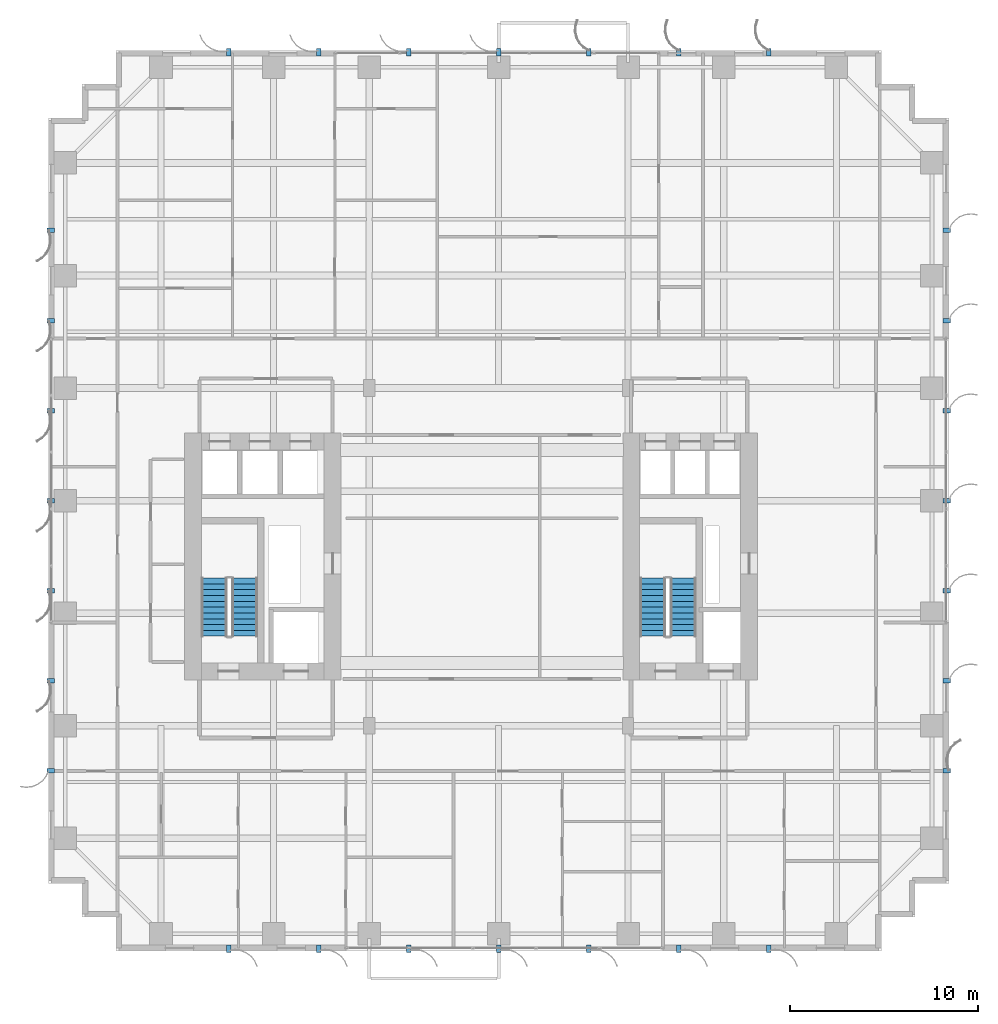
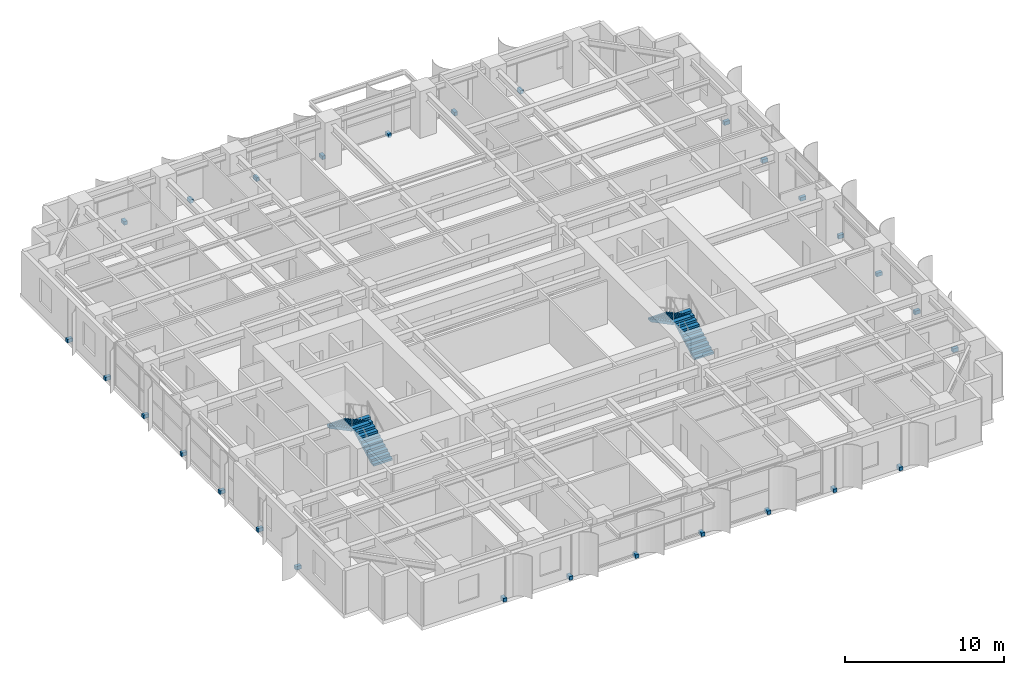
# One storey, part 21 of 25: 28 discrete accessories, 4 stair flights, 2 elements without a shape of their own.
"""IFC4 building model written with IfcOpenShell, lengths in metres."""

from ifc_helpers import new_model, si_unit, direction, frame, origin, origin_2d, place, context, subcontext, project, spatial, polyline, rectangle, outline, extrude, source, transform, mapped, material, type_object, element, aggregate, save


model = new_model("IFC4")

# Units and contexts
model_context = context("Model", 3, precision=1e-05, world=origin(), true_north=direction((0.0, 1.0)))
body_context = subcontext(model_context, "Body", "Model", "MODEL_VIEW")
ifc_project = project(units=[si_unit("LENGTHUNIT", "METRE"), si_unit("AREAUNIT", "SQUARE_METRE"), si_unit("VOLUMEUNIT", "CUBIC_METRE"), si_unit("PLANEANGLEUNIT", "RADIAN"), si_unit("MASSUNIT", "GRAM", prefix="KILO")], contexts=[model_context])

# Site, building, storey
site_placement = place(None, origin())
site = spatial("IfcSite", under=ifc_project, at=site_placement, CompositionType="ELEMENT")
building_placement = place(site_placement, origin())
building = spatial("IfcBuilding", under=site, at=building_placement, Name="Khoralis Quay Care Tower", CompositionType="ELEMENT")
storey_placement = place(building_placement, frame((0.0, 0.0, 65.699951171875)))
storey = spatial("IfcBuildingStorey", under=building, at=storey_placement, Name="L17", CompositionType="ELEMENT", Elevation=65.699951171875)

# Stair, stair flights
ifc_material_1 = material(Name="Precast concrete C45/55", Category="concrete")
stair_type = type_object("IfcStairType", Name="ST-TWR-DOGLEG-1400", PredefinedType="HALF_TURN_STAIR", material=ifc_material_1)
stair_1_placement = place(storey_placement, origin())
stair_1 = element("IfcStair", 1, at=stair_1_placement, inside=storey, type_object=stair_type, Name="L17 West Core Exit Stair ST-T1", PredefinedType="HALF_TURN_STAIR")
stair_flight_type = type_object("IfcStairFlightType", Name="SF-TWR-1400", PredefinedType="STRAIGHT", material=ifc_material_1)
shared_shape_1 = source(origin(), body_context, "Body", "SweptSolid", [
    extrude(outline(polyline([(0.0, 0.0), (0.0, 0.16357421875), (0.31005859375, 0.16357421875), (0.31005859375, 0.327392578125), (0.6201171875, 0.327392578125), (0.6201171875, 0.490966796875), (0.929931640625, 0.490966796875), (0.929931640625, 0.654541015625), (1.239990234375, 0.654541015625), (1.239990234375, 0.818115234375), (1.550048828125, 0.818115234375), (1.550048828125, 0.98193359375), (1.860107421875, 0.98193359375), (1.860107421875, 1.1455078125), (2.169921875, 1.1455078125), (2.169921875, 1.30908203125), (2.47998046875, 1.30908203125), (2.47998046875, 1.47265625), (2.7900390625, 1.47265625), (2.7900390625, 1.636474609375), (3.10009765625, 1.636474609375), (3.10009765625, 1.800048828125), (3.10009765625, 1.466796875), (0.321044921875, 0.0), (0.0, 0.0)])), frame((0.0, 0.68994140625, 0.0), z_axis=(0.0, -1.0, 0.0), x_axis=(1.0, 0.0, 0.0)), (0.0, 0.0, 1.0), 1.3798828125),
])
stair_flight_1_placement = place(storey_placement, frame((10.4599609375, 16.77001953125, 0.0), z_axis=(0.0, 0.0, 1.0), x_axis=(0.0, 1.0, 0.0)))
stair_flight_1 = element("IfcStairFlight", 2, at=stair_flight_1_placement, type_object=stair_flight_type, Name="ST-T1 flight 1", NumberOfRisers=11, NumberOfTreads=10, PredefinedType="STRAIGHT", RiserHeight=0.163636364, TreadLength=0.31, context=body_context, shape_type="MappedRepresentation", body=[
    mapped(shared_shape_1, transform((0.0, 0.0, 0.0), scale=1.0)),
])
stair_flight_2_placement = place(storey_placement, frame((8.840087890625, 19.8701171875, 1.800048828125), z_axis=(0.0, 0.0, 1.0), x_axis=(0.0, -1.0, 0.0)))
stair_flight_2 = element("IfcStairFlight", 3, at=stair_flight_2_placement, type_object=stair_flight_type, Name="ST-T1 flight 2", NumberOfRisers=11, NumberOfTreads=10, PredefinedType="STRAIGHT", RiserHeight=0.163636364, TreadLength=0.31, context=body_context, shape_type="MappedRepresentation", body=[
    mapped(shared_shape_1, transform((0.0, 0.0, 0.0), scale=1.0)),
])
aggregate(stair_1, [stair_flight_1, stair_flight_2])

stair_2_placement = place(storey_placement, origin())
stair_2 = element("IfcStair", 4, at=stair_2_placement, inside=storey, type_object=stair_type, Name="L17 East Core Exit Stair ST-T2", PredefinedType="HALF_TURN_STAIR")
stair_flight_3_placement = place(storey_placement, frame((33.830078125, 16.77001953125, 0.0), z_axis=(0.0, 0.0, 1.0), x_axis=(0.0, 1.0, 0.0)))
stair_flight_3 = element("IfcStairFlight", 5, at=stair_flight_3_placement, type_object=stair_flight_type, Name="ST-T2 flight 1", NumberOfRisers=11, NumberOfTreads=10, PredefinedType="STRAIGHT", RiserHeight=0.163636364, TreadLength=0.31, context=body_context, shape_type="MappedRepresentation", body=[
    mapped(shared_shape_1, transform((0.0, 0.0, 0.0), scale=1.0)),
])
stair_flight_4_placement = place(storey_placement, frame((32.2099609375, 19.8701171875, 1.800048828125), z_axis=(0.0, 0.0, 1.0), x_axis=(0.0, -1.0, 0.0)))
stair_flight_4 = element("IfcStairFlight", 6, at=stair_flight_4_placement, type_object=stair_flight_type, Name="ST-T2 flight 2", NumberOfRisers=11, NumberOfTreads=10, PredefinedType="STRAIGHT", RiserHeight=0.163636364, TreadLength=0.31, context=body_context, shape_type="MappedRepresentation", body=[
    mapped(shared_shape_1, transform((0.0, 0.0, 0.0), scale=1.0)),
])
aggregate(stair_2, [stair_flight_3, stair_flight_4])

# Discrete accessories
ifc_material_2 = material(Name="Brushed stainless steel", Category="steel")
discrete_accessory_type = type_object("IfcDiscreteAccessoryType", Name="ACC-FIN-BRACKET", PredefinedType="BRACKET", material=ifc_material_2)
shared_shape_2 = source(origin(), body_context, "Body", "SweptSolid", [
    extrude(rectangle(XDim=0.39990234375, YDim=0.239990234375, at=origin_2d()), origin(), (0.0, 0.0, 1.0), 0.280029296875),
])
for number, where, z_axis, x_axis, name in (
    (7, (9.60009765625, 0.110107421875, -0.1201171875), (0.0, 0.0, 1.0), (0.0, -1.0, 0.0), "L17 Solar Fin Bracket P1E0-01"),
    (8, (14.39990234375, 0.110107421875, -0.1201171875), (0.0, 0.0, 1.0), (0.0, -1.0, 0.0), "L17 Solar Fin Bracket P1E0-02"),
    (9, (19.199951171875, 0.110107421875, -0.1201171875), (0.0, 0.0, 1.0), (0.0, -1.0, 0.0), "L17 Solar Fin Bracket P1E0-03"),
    (10, (24.0, 0.110107421875, -0.1201171875), (0.0, 0.0, 1.0), (0.0, -1.0, 0.0), "L17 Solar Fin Bracket P1E0-04"),
    (11, (28.800048828125, 0.110107421875, -0.1201171875), (0.0, 0.0, 1.0), (0.0, -1.0, 0.0), "L17 Solar Fin Bracket P1E0-05"),
    (12, (33.60009765625, 0.110107421875, -0.1201171875), (0.0, 0.0, 1.0), (0.0, -1.0, 0.0), "L17 Solar Fin Bracket P1E0-06"),
    (13, (38.39990234375, 0.110107421875, -0.1201171875), (0.0, 0.0, 1.0), (0.0, -1.0, 0.0), "L17 Solar Fin Bracket P1E0-07"),
    (14, (47.889892578125, 9.60009765625, -0.1201171875), (0.0, 0.0, 1.0), (1.0, 0.0, 0.0), "L17 Solar Fin Bracket P1E5-01"),
    (15, (47.889892578125, 14.39990234375, -0.1201171875), (0.0, 0.0, 1.0), (1.0, 0.0, 0.0), "L17 Solar Fin Bracket P1E5-02"),
    (16, (47.889892578125, 19.199951171875, -0.1201171875), (0.0, 0.0, 1.0), (1.0, 0.0, 0.0), "L17 Solar Fin Bracket P1E5-03"),
    (17, (47.889892578125, 24.0, -0.1201171875), (0.0, 0.0, 1.0), (1.0, 0.0, 0.0), "L17 Solar Fin Bracket P1E5-04"),
    (18, (47.889892578125, 28.800048828125, -0.1201171875), (0.0, 0.0, 1.0), (1.0, 0.0, 0.0), "L17 Solar Fin Bracket P1E5-05"),
    (19, (47.889892578125, 33.60009765625, -0.1201171875), (0.0, 0.0, 1.0), (1.0, 0.0, 0.0), "L17 Solar Fin Bracket P1E5-06"),
    (20, (47.889892578125, 38.39990234375, -0.1201171875), (0.0, 0.0, 1.0), (1.0, 0.0, 0.0), "L17 Solar Fin Bracket P1E5-07"),
    (21, (38.39990234375, 47.889892578125, -0.1201171875), (0.0, 0.0, 1.0), (0.0, 1.0, 0.0), "L17 Solar Fin Bracket P1E10-01"),
    (22, (33.60009765625, 47.889892578125, -0.1201171875), (0.0, 0.0, 1.0), (0.0, 1.0, 0.0), "L17 Solar Fin Bracket P1E10-02"),
    (23, (28.800048828125, 47.889892578125, -0.1201171875), (0.0, 0.0, 1.0), (0.0, 1.0, 0.0), "L17 Solar Fin Bracket P1E10-03"),
    (24, (24.0, 47.889892578125, -0.1201171875), (0.0, 0.0, 1.0), (0.0, 1.0, 0.0), "L17 Solar Fin Bracket P1E10-04"),
    (25, (19.199951171875, 47.889892578125, -0.1201171875), (0.0, 0.0, 1.0), (0.0, 1.0, 0.0), "L17 Solar Fin Bracket P1E10-05"),
    (26, (14.39990234375, 47.889892578125, -0.1201171875), (0.0, 0.0, 1.0), (0.0, 1.0, 0.0), "L17 Solar Fin Bracket P1E10-06"),
    (27, (9.60009765625, 47.889892578125, -0.1201171875), (0.0, 0.0, 1.0), (0.0, 1.0, 0.0), "L17 Solar Fin Bracket P1E10-07"),
    (28, (0.110107421875, 38.39990234375, -0.1201171875), (0.0, 0.0, 1.0), (-1.0, 0.0, 0.0), "L17 Solar Fin Bracket P1E15-01"),
    (29, (0.110107421875, 33.60009765625, -0.1201171875), (0.0, 0.0, 1.0), (-1.0, 0.0, 0.0), "L17 Solar Fin Bracket P1E15-02"),
    (30, (0.110107421875, 28.800048828125, -0.1201171875), (0.0, 0.0, 1.0), (-1.0, 0.0, 0.0), "L17 Solar Fin Bracket P1E15-03"),
    (31, (0.110107421875, 24.0, -0.1201171875), (0.0, 0.0, 1.0), (-1.0, 0.0, 0.0), "L17 Solar Fin Bracket P1E15-04"),
    (32, (0.110107421875, 19.199951171875, -0.1201171875), (0.0, 0.0, 1.0), (-1.0, 0.0, 0.0), "L17 Solar Fin Bracket P1E15-05"),
    (33, (0.110107421875, 14.39990234375, -0.1201171875), (0.0, 0.0, 1.0), (-1.0, 0.0, 0.0), "L17 Solar Fin Bracket P1E15-06"),
    (34, (0.110107421875, 9.60009765625, -0.1201171875), (0.0, 0.0, 1.0), (-1.0, 0.0, 0.0), "L17 Solar Fin Bracket P1E15-07"),
):
    element("IfcDiscreteAccessory", number, at=place(storey_placement, frame(where, z_axis=z_axis, x_axis=x_axis)), inside=storey, type_object=discrete_accessory_type, Name=name, PredefinedType="BRACKET", context=body_context, shape_type="MappedRepresentation", body=[
        mapped(shared_shape_2, transform((0.0, 0.0, 0.0), scale=1.0)),
    ])

save(model, "model.ifc")
